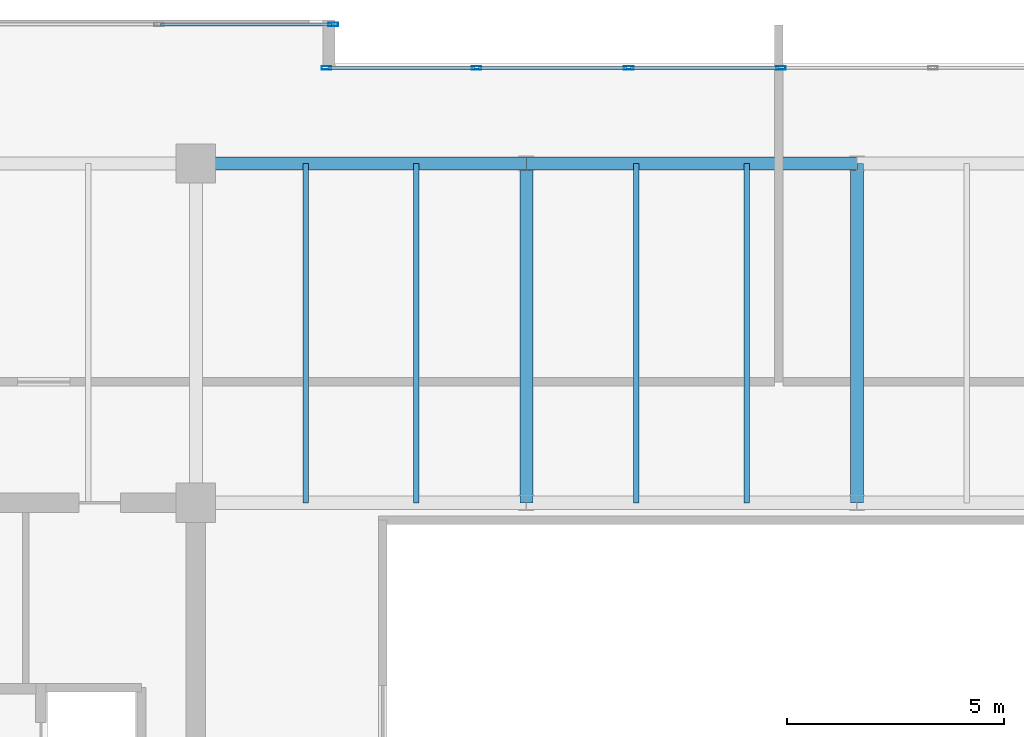
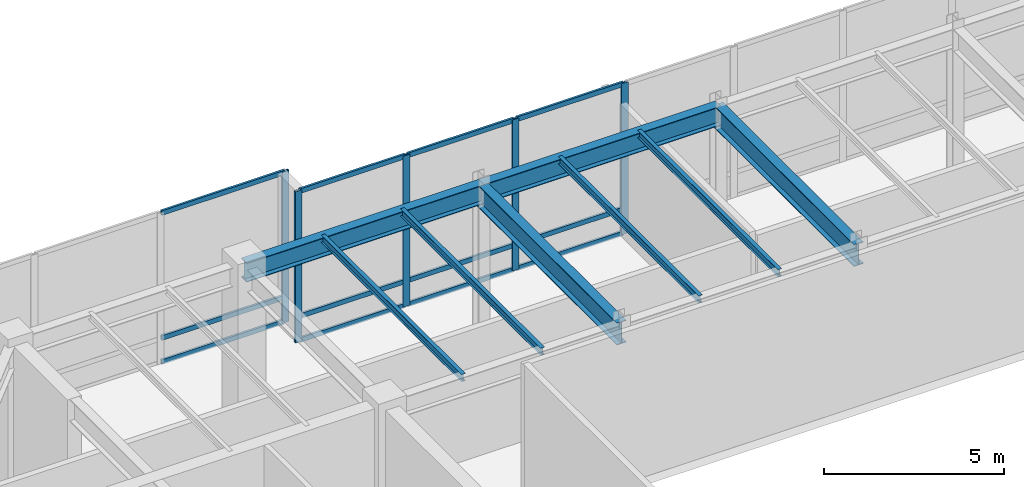
# One storey, part 19 of 30: 17 members, 8 beams, 2 elements without a shape of their own.
"""IFC4 building model written with IfcOpenShell, lengths in metres."""

from ifc_helpers import new_model, si_unit, direction, frame, origin, origin_2d, place, context, subcontext, project, spatial, hollow_rectangle, i_section, extrude, source, transform, mapped, material, layer, layer_set, material_profile, profile_set, type_object, type_shapes, element, aggregate, save


model = new_model("IFC4")

# Units and contexts
model_context = context("Model", 3, precision=1e-05, world=origin(), true_north=direction((0.0, 1.0)))
body_context = subcontext(model_context, "Body", "Model", "MODEL_VIEW")
ifc_project = project(units=[si_unit("LENGTHUNIT", "METRE"), si_unit("AREAUNIT", "SQUARE_METRE"), si_unit("VOLUMEUNIT", "CUBIC_METRE"), si_unit("PLANEANGLEUNIT", "RADIAN"), si_unit("MASSUNIT", "GRAM", prefix="KILO")], contexts=[model_context])

# Site, building, storey
site_placement = place(None, origin())
site = spatial("IfcSite", under=ifc_project, at=site_placement, CompositionType="ELEMENT")
building_placement = place(site_placement, origin())
building = spatial("IfcBuilding", under=site, at=building_placement, Name="Haelvirn Gate Laboratories", CompositionType="ELEMENT")
storey_placement = place(building_placement, frame((0.0, 0.0, 332.39990234375)))
storey = spatial("IfcBuildingStorey", under=building, at=storey_placement, Name="L79", CompositionType="ELEMENT", Elevation=332.39990234375)

# Beams
ifc_material_1 = material(Name="Steel SM355", Category="steel")
ifc_material_profile_1 = material_profile(ifc_material_1, i_section(OverallWidth=0.300048828125, OverallDepth=0.75, WebThickness=0.013916015625, FlangeThickness=0.02392578125, at=origin_2d()), Name="H-750x300x14x24")
ifc_profile_set_1 = profile_set([ifc_material_profile_1], Name="Steel SM355")
beam_type_1 = type_object("IfcBeamType", Name="BM-G-750", PredefinedType="BEAM", material=ifc_profile_set_1)
shared_shape_1 = source(origin(), body_context, "Body", "SweptSolid", [
    extrude(i_section(OverallWidth=0.300048828125, OverallDepth=0.75, WebThickness=0.013916015625, FlangeThickness=0.02392578125, at=origin_2d()), origin(), (0.0, 0.0, 1.0), 7.800048828125),
])
type_shapes(beam_type_1, [shared_shape_1])
for number, where, z_axis, x_axis, name in (
    (1, (29.800048828125, 33.800048828125, 4.7451171875), (0.0, 1.0, 0.0), (-1.0, 0.0, 0.0), "L79 Frame Girder X29.8 (33.8-41.6)"),
    (2, (37.39990234375, 33.800048828125, 4.7451171875), (0.0, 1.0, 0.0), (-1.0, 0.0, 0.0), "L79 Frame Girder X37.4 (33.8-41.6)"),
):
    element("IfcBeam", number, at=place(storey_placement, frame(where, z_axis=z_axis, x_axis=x_axis)), inside=storey, type_object=beam_type_1, Name=name, PredefinedType="BEAM", context=body_context, shape_type="MappedRepresentation", body=[
        mapped(shared_shape_1, transform((0.0, 0.0, 0.0), scale=1.0)),
    ])
ifc_material_profile_2 = material_profile(ifc_material_1, i_section(OverallWidth=0.300048828125, OverallDepth=0.64990234375, WebThickness=0.012939453125, FlangeThickness=0.02197265625, at=origin_2d()), Name="H-650x300x13x22")
ifc_profile_set_2 = profile_set([ifc_material_profile_2], Name="Steel SM355")
beam_type_2 = type_object("IfcBeamType", Name="BM-G-650", PredefinedType="BEAM", material=ifc_profile_set_2)
shared_shape_2 = source(origin(), body_context, "Body", "SweptSolid", [
    extrude(i_section(OverallWidth=0.300048828125, OverallDepth=0.64990234375, WebThickness=0.012939453125, FlangeThickness=0.02197265625, at=origin_2d()), origin(), (0.0, 0.0, 1.0), 7.60009765625),
])
beam_1_placement = place(storey_placement, frame((22.199951171875, 41.60009765625, 4.795166015625), z_axis=(1.0, 0.0, 0.0), x_axis=(0.0, 1.0, 0.0)))
element("IfcBeam", 3, at=beam_1_placement, inside=storey, type_object=beam_type_2, Name="L79 Primary Girder Y41.6 (22.2-29.8)", PredefinedType="BEAM", context=body_context, shape_type="MappedRepresentation", body=[
    mapped(shared_shape_2, transform((0.0, 0.0, 0.0), scale=1.0)),
])
shared_shape_3 = source(origin(), body_context, "Body", "SweptSolid", [
    extrude(i_section(OverallWidth=0.300048828125, OverallDepth=0.64990234375, WebThickness=0.012939453125, FlangeThickness=0.02197265625, at=origin_2d()), origin(), (0.0, 0.0, 1.0), 7.599853515625),
])
type_shapes(beam_type_2, [shared_shape_2, shared_shape_3])
beam_2_placement = place(storey_placement, frame((29.800048828125, 41.60009765625, 4.795166015625), z_axis=(1.0, 0.0, 0.0), x_axis=(0.0, 1.0, 0.0)))
element("IfcBeam", 4, at=beam_2_placement, inside=storey, type_object=beam_type_2, Name="L79 Primary Girder Y41.6 (29.8-37.4)", PredefinedType="BEAM", context=body_context, shape_type="MappedRepresentation", body=[
    mapped(shared_shape_3, transform((0.0, 0.0, 0.0), scale=1.0)),
])
ifc_material_profile_3 = material_profile(ifc_material_1, i_section(OverallWidth=0.125, OverallDepth=0.25, WebThickness=0.006103515625, FlangeThickness=0.009033203125, at=origin_2d()), Name="H-250x125x6x9")
ifc_profile_set_3 = profile_set([ifc_material_profile_3], Name="Steel SM355")
beam_type_3 = type_object("IfcBeamType", Name="BM-J-250", PredefinedType="JOIST", material=ifc_profile_set_3)
shared_shape_4 = source(origin(), body_context, "Body", "SweptSolid", [
    extrude(i_section(OverallWidth=0.125, OverallDepth=0.25, WebThickness=0.006103515625, FlangeThickness=0.009033203125, at=origin_2d()), origin(), (0.0, 0.0, 1.0), 7.800048828125),
])
type_shapes(beam_type_3, [shared_shape_4])
for number, where, z_axis, x_axis, name in (
    (5, (24.72998046875, 33.800048828125, 4.9951171875), (0.0, 1.0, 0.0), (-1.0, 0.0, 0.0), "L79 Composite Lab Joist North X24.73"),
    (6, (27.27001953125, 33.800048828125, 4.9951171875), (0.0, 1.0, 0.0), (-1.0, 0.0, 0.0), "L79 Composite Lab Joist North X27.27"),
    (7, (32.330078125, 33.800048828125, 4.9951171875), (0.0, 1.0, 0.0), (-1.0, 0.0, 0.0), "L79 Composite Lab Joist North X32.33"),
    (8, (34.8701171875, 33.800048828125, 4.9951171875), (0.0, 1.0, 0.0), (-1.0, 0.0, 0.0), "L79 Composite Lab Joist North X34.87"),
):
    element("IfcBeam", number, at=place(storey_placement, frame(where, z_axis=z_axis, x_axis=x_axis)), inside=storey, type_object=beam_type_3, Name=name, PredefinedType="JOIST", context=body_context, shape_type="MappedRepresentation", body=[
        mapped(shared_shape_4, transform((0.0, 0.0, 0.0), scale=1.0)),
    ])

# Curtain wall, members
ifc_material_2 = material(Name="Anodised bronze unitised aluminium & triple low-E glass", Category="aluminium")
ifc_layer = layer(ifc_material_2, 0.19189453125, Name="CW-SYS-6")
ifc_layer_set = layer_set([ifc_layer], Name="Anodised bronze unitised aluminium & triple low-E glass")
curtain_wall_type = type_object("IfcCurtainWallType", Name="CW-SYS-6", PredefinedType="NOTDEFINED", material=ifc_layer_set)
curtain_wall_1_placement = place(storey_placement, origin())
curtain_wall_1 = element("IfcCurtainWall", 9, at=curtain_wall_1_placement, inside=storey, type_object=curtain_wall_type, Name="L79 Unitised Curtain Wall CW-L79-P0-E12-1", PredefinedType="NOTDEFINED")
ifc_material_3 = material(Name="Extruded aluminium 6063-T6 (anodised bronze)", Category="aluminium")
ifc_material_profile_4 = material_profile(ifc_material_3, hollow_rectangle(XDim=0.080078125, YDim=0.219970703125, WallThickness=0.006103515625, at=origin_2d()), Name="CWM-220x80x6")
ifc_profile_set_4 = profile_set([ifc_material_profile_4], Name="Extruded aluminium 6063-T6 (anodised bronze)")
member_type_1 = type_object("IfcMemberType", Name="CWM-T220", PredefinedType="MULLION", material=ifc_profile_set_4)
shared_shape_5 = source(origin(), body_context, "Body", "SweptSolid", [
    extrude(hollow_rectangle(XDim=0.080078125, YDim=0.219970703125, WallThickness=0.006103515625, at=origin_2d()), origin(), (0.0, 0.0, 1.0), 5.1201171875),
])
type_shapes(member_type_1, [shared_shape_5])
member_1_placement = place(storey_placement, frame((25.199951171875, 43.800048828125, 0.0), z_axis=(0.0, 0.0, 1.0), x_axis=(0.0, 1.0, 0.0)))
member_1 = element("IfcMember", 10, at=member_1_placement, type_object=member_type_1, Name="CW6 mullion 1", PredefinedType="MULLION", context=body_context, shape_type="MappedRepresentation", body=[
    mapped(shared_shape_5, transform((0.0, 0.0, 0.0), scale=1.0)),
])
member_2_placement = place(storey_placement, frame((28.6572265625, 43.800048828125, 0.0), z_axis=(0.0, 0.0, 1.0), x_axis=(0.0, 1.0, 0.0)))
member_2 = element("IfcMember", 11, at=member_2_placement, type_object=member_type_1, Name="CW6 mullion 2", PredefinedType="MULLION", context=body_context, shape_type="MappedRepresentation", body=[
    mapped(shared_shape_5, transform((0.0, 0.0, 0.0), scale=1.0)),
])
member_3_placement = place(storey_placement, frame((32.154296875, 43.800048828125, 0.0), z_axis=(0.0, 0.0, 1.0), x_axis=(0.0, 1.0, 0.0)))
member_3 = element("IfcMember", 12, at=member_3_placement, type_object=member_type_1, Name="CW6 mullion 3", PredefinedType="MULLION", context=body_context, shape_type="MappedRepresentation", body=[
    mapped(shared_shape_5, transform((0.0, 0.0, 0.0), scale=1.0)),
])
member_4_placement = place(storey_placement, frame((35.6513671875, 43.800048828125, 0.0), z_axis=(0.0, 0.0, 1.0), x_axis=(0.0, 1.0, 0.0)))
member_4 = element("IfcMember", 13, at=member_4_placement, type_object=member_type_1, Name="CW6 mullion 4", PredefinedType="MULLION", context=body_context, shape_type="MappedRepresentation", body=[
    mapped(shared_shape_5, transform((0.0, 0.0, 0.0), scale=1.0)),
])

curtain_wall_2_placement = place(storey_placement, origin())
curtain_wall_2 = element("IfcCurtainWall", 14, at=curtain_wall_2_placement, inside=storey, type_object=curtain_wall_type, Name="L79 Unitised Curtain Wall CW-L79-P0-E14-1", PredefinedType="NOTDEFINED")
member_5_placement = place(storey_placement, frame((25.360107421875, 44.800048828125, 0.0), z_axis=(0.0, 0.0, 1.0), x_axis=(0.0, 1.0, 0.0)))
member_5 = element("IfcMember", 15, at=member_5_placement, type_object=member_type_1, Name="CW6 mullion 5", PredefinedType="MULLION", context=body_context, shape_type="MappedRepresentation", body=[
    mapped(shared_shape_5, transform((0.0, 0.0, 0.0), scale=1.0)),
])
ifc_material_profile_5 = material_profile(ifc_material_3, hollow_rectangle(XDim=0.070068359375, YDim=0.159912109375, WallThickness=0.0048828125, at=origin_2d()), Name="CWT-160x70x5")
ifc_profile_set_5 = profile_set([ifc_material_profile_5], Name="Extruded aluminium 6063-T6 (anodised bronze)")
member_type_2 = type_object("IfcMemberType", Name="CWT-T160", PredefinedType="USERDEFINED", material=ifc_profile_set_5)
shared_shape_6 = source(origin(), body_context, "Body", "SweptSolid", [
    extrude(hollow_rectangle(XDim=0.070068359375, YDim=0.159912109375, WallThickness=0.0048828125, at=origin_2d()), origin(), (0.0, 0.0, 1.0), 3.93017578125),
])
member_6_placement = place(storey_placement, frame((21.389892578125, 44.800048828125, 0.03515625), z_axis=(1.0, 0.0, 0.0), x_axis=(0.0, 1.0, 0.0)))
member_6 = element("IfcMember", 16, at=member_6_placement, type_object=member_type_2, Name="CW6 transom 4.1", ObjectType="TRANSOM", PredefinedType="USERDEFINED", context=body_context, shape_type="MappedRepresentation", body=[
    mapped(shared_shape_6, transform((0.0, 0.0, 0.0), scale=1.0)),
])
member_7_placement = place(storey_placement, frame((21.389892578125, 44.800048828125, 0.85009765625), z_axis=(1.0, 0.0, 0.0), x_axis=(0.0, 1.0, 0.0)))
member_7 = element("IfcMember", 17, at=member_7_placement, type_object=member_type_2, Name="CW6 transom 4.2", ObjectType="TRANSOM", PredefinedType="USERDEFINED", context=body_context, shape_type="MappedRepresentation", body=[
    mapped(shared_shape_6, transform((0.0, 0.0, 0.0), scale=1.0)),
])
member_8_placement = place(storey_placement, frame((21.389892578125, 44.800048828125, 5.085205078125), z_axis=(1.0, 0.0, 0.0), x_axis=(0.0, 1.0, 0.0)))
member_8 = element("IfcMember", 18, at=member_8_placement, type_object=member_type_2, Name="CW6 transom 4.3", ObjectType="TRANSOM", PredefinedType="USERDEFINED", context=body_context, shape_type="MappedRepresentation", body=[
    mapped(shared_shape_6, transform((0.0, 0.0, 0.0), scale=1.0)),
])
aggregate(curtain_wall_2, [member_5, member_6, member_7, member_8])

# Member
shared_shape_7 = source(origin(), body_context, "Body", "SweptSolid", [
    extrude(hollow_rectangle(XDim=0.070068359375, YDim=0.159912109375, WallThickness=0.0048828125, at=origin_2d()), origin(), (0.0, 0.0, 1.0), 3.377197265625),
])
member_9_placement = place(storey_placement, frame((25.239990234375, 43.800048828125, 0.03515625), z_axis=(1.0, 0.0, 0.0), x_axis=(0.0, 1.0, 0.0)))
member_9 = element("IfcMember", 19, at=member_9_placement, type_object=member_type_2, Name="CW6 transom 1.1", ObjectType="TRANSOM", PredefinedType="USERDEFINED", context=body_context, shape_type="MappedRepresentation", body=[
    mapped(shared_shape_7, transform((0.0, 0.0, 0.0), scale=1.0)),
])

member_10_placement = place(storey_placement, frame((25.239990234375, 43.800048828125, 0.85009765625), z_axis=(1.0, 0.0, 0.0), x_axis=(0.0, 1.0, 0.0)))
member_10 = element("IfcMember", 20, at=member_10_placement, type_object=member_type_2, Name="CW6 transom 1.2", ObjectType="TRANSOM", PredefinedType="USERDEFINED", context=body_context, shape_type="MappedRepresentation", body=[
    mapped(shared_shape_7, transform((0.0, 0.0, 0.0), scale=1.0)),
])

member_11_placement = place(storey_placement, frame((25.239990234375, 43.800048828125, 5.085205078125), z_axis=(1.0, 0.0, 0.0), x_axis=(0.0, 1.0, 0.0)))
member_11 = element("IfcMember", 21, at=member_11_placement, type_object=member_type_2, Name="CW6 transom 1.3", ObjectType="TRANSOM", PredefinedType="USERDEFINED", context=body_context, shape_type="MappedRepresentation", body=[
    mapped(shared_shape_7, transform((0.0, 0.0, 0.0), scale=1.0)),
])

shared_shape_8 = source(origin(), body_context, "Body", "SweptSolid", [
    extrude(hollow_rectangle(XDim=0.070068359375, YDim=0.159912109375, WallThickness=0.0048828125, at=origin_2d()), origin(), (0.0, 0.0, 1.0), 3.417236328125),
])
member_12_placement = place(storey_placement, frame((28.697021484375, 43.800048828125, 0.03515625), z_axis=(1.0, 0.0, 0.0), x_axis=(0.0, 1.0, 0.0)))
member_12 = element("IfcMember", 22, at=member_12_placement, type_object=member_type_2, Name="CW6 transom 2.1", ObjectType="TRANSOM", PredefinedType="USERDEFINED", context=body_context, shape_type="MappedRepresentation", body=[
    mapped(shared_shape_8, transform((0.0, 0.0, 0.0), scale=1.0)),
])

member_13_placement = place(storey_placement, frame((28.697021484375, 43.800048828125, 0.85009765625), z_axis=(1.0, 0.0, 0.0), x_axis=(0.0, 1.0, 0.0)))
member_13 = element("IfcMember", 23, at=member_13_placement, type_object=member_type_2, Name="CW6 transom 2.2", ObjectType="TRANSOM", PredefinedType="USERDEFINED", context=body_context, shape_type="MappedRepresentation", body=[
    mapped(shared_shape_8, transform((0.0, 0.0, 0.0), scale=1.0)),
])

member_14_placement = place(storey_placement, frame((28.697021484375, 43.800048828125, 5.085205078125), z_axis=(1.0, 0.0, 0.0), x_axis=(0.0, 1.0, 0.0)))
member_14 = element("IfcMember", 24, at=member_14_placement, type_object=member_type_2, Name="CW6 transom 2.3", ObjectType="TRANSOM", PredefinedType="USERDEFINED", context=body_context, shape_type="MappedRepresentation", body=[
    mapped(shared_shape_8, transform((0.0, 0.0, 0.0), scale=1.0)),
])

shared_shape_9 = source(origin(), body_context, "Body", "SweptSolid", [
    extrude(hollow_rectangle(XDim=0.070068359375, YDim=0.159912109375, WallThickness=0.0048828125, at=origin_2d()), origin(), (0.0, 0.0, 1.0), 3.4169921875),
])
type_shapes(member_type_2, [shared_shape_6, shared_shape_7, shared_shape_8, shared_shape_9])
member_15_placement = place(storey_placement, frame((32.1943359375, 43.800048828125, 0.03515625), z_axis=(1.0, 0.0, 0.0), x_axis=(0.0, 1.0, 0.0)))
member_15 = element("IfcMember", 25, at=member_15_placement, type_object=member_type_2, Name="CW6 transom 3.1", ObjectType="TRANSOM", PredefinedType="USERDEFINED", context=body_context, shape_type="MappedRepresentation", body=[
    mapped(shared_shape_9, transform((0.0, 0.0, 0.0), scale=1.0)),
])

member_16_placement = place(storey_placement, frame((32.1943359375, 43.800048828125, 0.85009765625), z_axis=(1.0, 0.0, 0.0), x_axis=(0.0, 1.0, 0.0)))
member_16 = element("IfcMember", 26, at=member_16_placement, type_object=member_type_2, Name="CW6 transom 3.2", ObjectType="TRANSOM", PredefinedType="USERDEFINED", context=body_context, shape_type="MappedRepresentation", body=[
    mapped(shared_shape_9, transform((0.0, 0.0, 0.0), scale=1.0)),
])

member_17_placement = place(storey_placement, frame((32.1943359375, 43.800048828125, 5.085205078125), z_axis=(1.0, 0.0, 0.0), x_axis=(0.0, 1.0, 0.0)))
member_17 = element("IfcMember", 27, at=member_17_placement, type_object=member_type_2, Name="CW6 transom 3.3", ObjectType="TRANSOM", PredefinedType="USERDEFINED", context=body_context, shape_type="MappedRepresentation", body=[
    mapped(shared_shape_9, transform((0.0, 0.0, 0.0), scale=1.0)),
])

aggregate(curtain_wall_1, [member_1, member_2, member_3, member_4, member_9, member_10, member_11, member_12, member_13, member_14, member_15, member_16, member_17])

save(model, "model.ifc")
